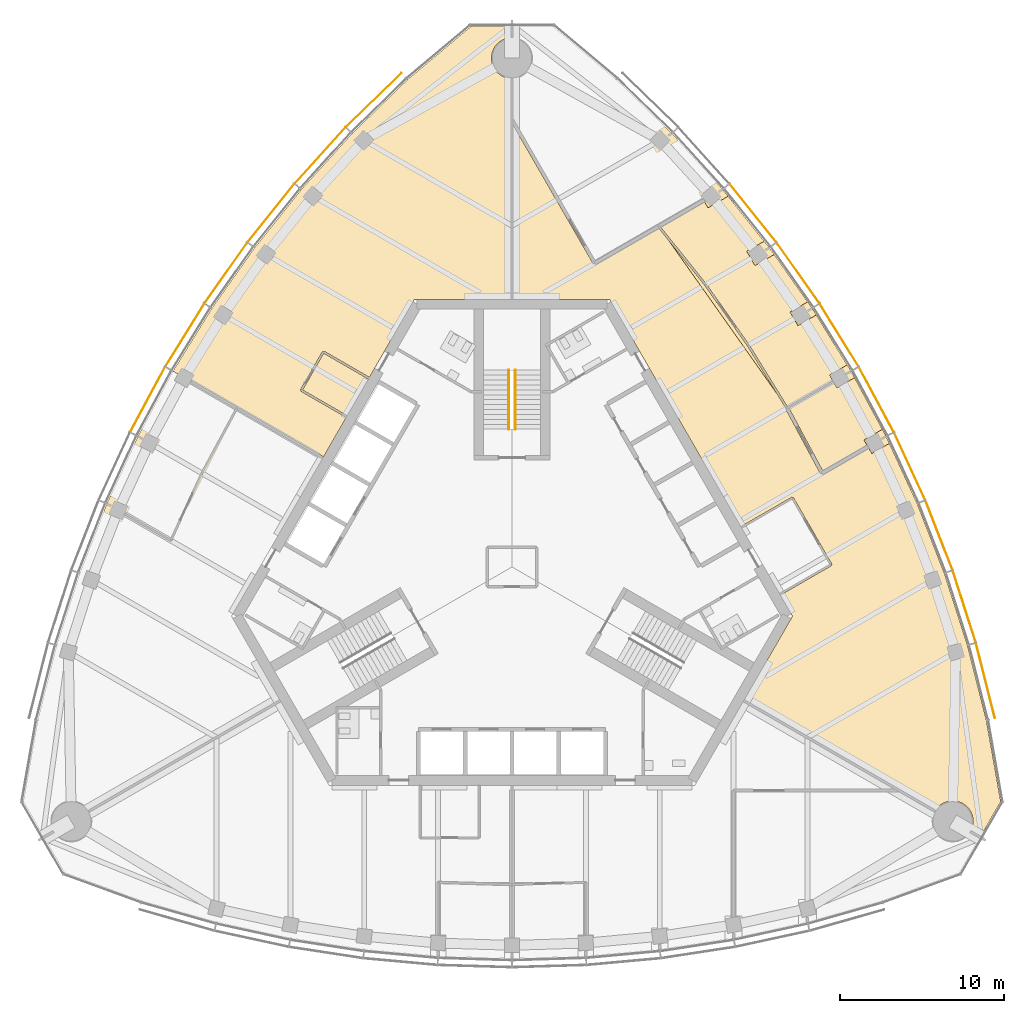
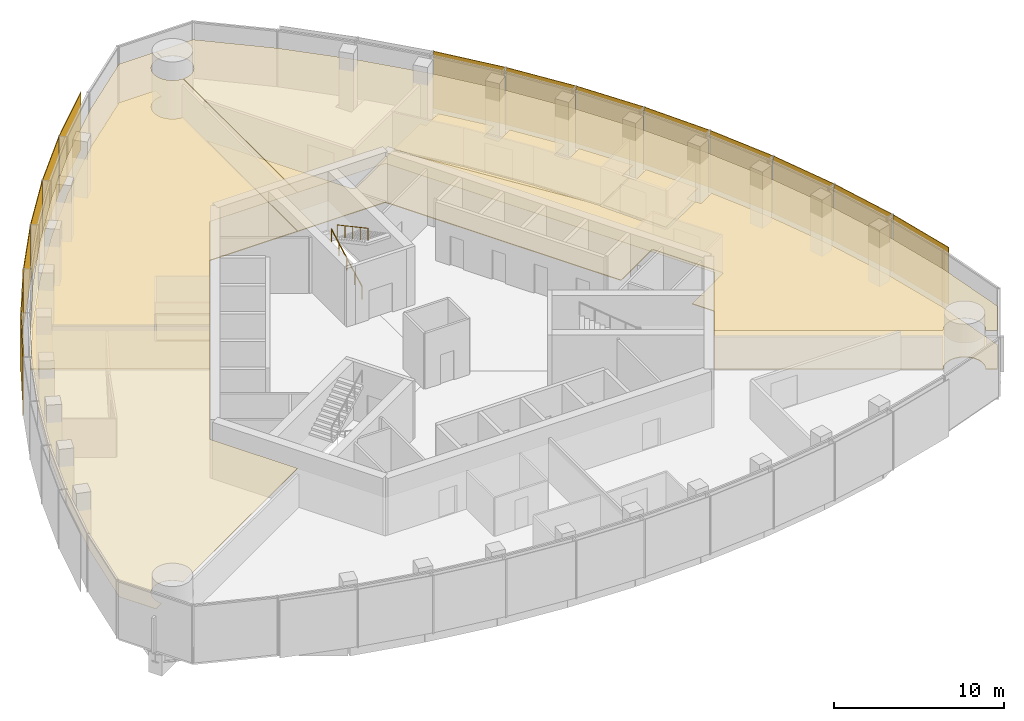
# One storey, part 13 of 16: 14 shading devices, 8 coverings, 2 railings.
"""IFC4 building model written with IfcOpenShell, lengths in metres."""

from ifc_helpers import new_model, si_unit, direction, frame, origin, origin_2d, place, context, subcontext, project, spatial, polyline, rectangle, circle, outline, extrude, material, layer, layer_set, type_object, element, save


model = new_model("IFC4")

# Units and contexts
model_context = context("Model", 3, precision=1e-05, world=origin(), true_north=direction((0.0, 1.0)))
body_context = subcontext(model_context, "Body", "Model", "MODEL_VIEW")
ifc_project = project(units=[si_unit("LENGTHUNIT", "METRE"), si_unit("AREAUNIT", "SQUARE_METRE"), si_unit("VOLUMEUNIT", "CUBIC_METRE"), si_unit("PLANEANGLEUNIT", "RADIAN"), si_unit("MASSUNIT", "GRAM", prefix="KILO")], contexts=[model_context])

# Site, building, storey
site_placement = place(None, origin())
site = spatial("IfcSite", under=ifc_project, at=site_placement, CompositionType="ELEMENT")
building_placement = place(site_placement, origin())
building = spatial("IfcBuilding", under=site, at=building_placement, Name="Trefoil Bronze Tower", CompositionType="ELEMENT")
storey_placement = place(building_placement, frame((0.0, 0.0, 314.10009765625)))
storey = spatial("IfcBuildingStorey", under=building, at=storey_placement, Name="L72", CompositionType="ELEMENT", Elevation=314.10009765625)

# Shading devices
ifc_material_1 = material(Name="Perforated bronze sheet", Category="bronze")
ifc_layer_1 = layer(ifc_material_1, 0.0400390625)
ifc_layer_set_1 = layer_set([ifc_layer_1], Name="Bronze solar screen panel")
shading_device_type = type_object("IfcShadingDeviceType", Name="Bronze solar screen panel", PredefinedType="SHUTTER", material=ifc_layer_set_1)
shading_device_1_placement = place(storey_placement, frame((28.843994140625, -6.927490234375, 0.0498046875), z_axis=(0.0, 0.0, 1.0), x_axis=(-0.244879561333, 0.969553505713, 0.0)))
element("IfcShadingDevice", 1, at=shading_device_1_placement, inside=storey, type_object=shading_device_type, Name="Solar screen CW-A L72 F2 bay 1", PredefinedType="SHUTTER", context=body_context, shape_type="SweptSolid", body=[
    extrude(rectangle(XDim=4.697509765625, YDim=0.0400390625, at=origin_2d()), origin(), (0.0, 0.0, 1.0), 4.10009765625),
])
shading_device_2_placement = place(storey_placement, frame((27.55322265625, -2.410888671875, 0.0498046875), z_axis=(0.0, 0.0, 1.0), x_axis=(-0.305187864214, 0.952292165009, 0.0)))
element("IfcShadingDevice", 2, at=shading_device_2_placement, inside=storey, type_object=shading_device_type, Name="Solar screen CW-A L72 F2 bay 2", PredefinedType="SHUTTER", context=body_context, shape_type="SweptSolid", body=[
    extrude(rectangle(XDim=4.574462890625, YDim=0.0400390625, at=origin_2d()), origin(), (0.0, 0.0, 1.0), 4.10009765625),
])
shading_device_3_placement = place(storey_placement, frame((26.0126953125, 1.93359375, 0.0498046875), z_axis=(0.0, 0.0, 1.0), x_axis=(-0.363198578387, 0.931711754062, 0.0)))
element("IfcShadingDevice", 3, at=shading_device_3_placement, inside=storey, type_object=shading_device_type, Name="Solar screen CW-A L72 F2 bay 3", PredefinedType="SHUTTER", context=body_context, shape_type="SweptSolid", body=[
    extrude(rectangle(XDim=4.5224609375, YDim=0.0400390625, at=origin_2d()), origin(), (0.0, 0.0, 1.0), 4.10009765625),
])
shading_device_4_placement = place(storey_placement, frame((24.2255859375, 6.135986328125, 0.0498046875), z_axis=(0.0, 0.0, 1.0), x_axis=(-0.419309148468, 0.907843509649, 0.0)))
element("IfcShadingDevice", 4, at=shading_device_4_placement, inside=storey, type_object=shading_device_type, Name="Solar screen CW-A L72 F2 bay 4", PredefinedType="SHUTTER", context=body_context, shape_type="SweptSolid", body=[
    extrude(rectangle(XDim=4.48876953125, YDim=0.0400390625, at=origin_2d()), origin(), (0.0, 0.0, 1.0), 4.10009765625),
])
for number, where, z_axis, x_axis, name in (
    (5, (22.19775390625, 10.198974609375, 0.0498046875), (0.0, 0.0, 1.0), (-0.473562437085, 0.880760250115, 0.0), "Solar screen CW-A L72 F2 bay 5"),
    (6, (19.931396484375, 14.124267578125, 0.0498046875), (0.0, 0.0, 1.0), (-0.525979532701, 0.850497225851, 0.0), "Solar screen CW-A L72 F2 bay 6"),
):
    element("IfcShadingDevice", number, at=place(storey_placement, frame(where, z_axis=z_axis, x_axis=x_axis)), inside=storey, type_object=shading_device_type, Name=name, PredefinedType="SHUTTER", context=body_context, shape_type="SweptSolid", body=[
        extrude(rectangle(XDim=4.47216796875, YDim=0.0400390625, at=origin_2d()), origin(), (0.0, 0.0, 1.0), 4.10009765625),
    ])
shading_device_5_placement = place(storey_placement, frame((17.4267578125, 17.912109375, 0.0498046875), z_axis=(0.0, 0.0, 1.0), x_axis=(-0.576560967783, 0.817054129437, 0.0)))
element("IfcShadingDevice", 7, at=shading_device_5_placement, inside=storey, type_object=shading_device_type, Name="Solar screen CW-A L72 F2 bay 7", PredefinedType="SHUTTER", context=body_context, shape_type="SweptSolid", body=[
    extrude(rectangle(XDim=4.48876953125, YDim=0.0400390625, at=origin_2d()), origin(), (0.0, 0.0, 1.0), 4.10009765625),
])
shading_device_6_placement = place(storey_placement, frame((14.680908203125, 21.560791015625, 0.0498046875), z_axis=(0.0, 0.0, 1.0), x_axis=(-0.625286758829, 0.780395072533, 0.0)))
element("IfcShadingDevice", 8, at=shading_device_6_placement, inside=storey, type_object=shading_device_type, Name="Solar screen CW-A L72 F2 bay 8", PredefinedType="SHUTTER", context=body_context, shape_type="SweptSolid", body=[
    extrude(rectangle(XDim=4.5224609375, YDim=0.0400390625, at=origin_2d()), origin(), (0.0, 0.0, 1.0), 4.10009765625),
])
shading_device_7_placement = place(storey_placement, frame((-8.42236328125, 28.443359375, 0.0498046875), z_axis=(0.0, 0.0, 1.0), x_axis=(-0.71721818561, -0.696848673839, 0.0)))
element("IfcShadingDevice", 9, at=shading_device_7_placement, inside=storey, type_object=shading_device_type, Name="Solar screen CW-A L72 F3 bay 1", PredefinedType="SHUTTER", context=body_context, shape_type="SweptSolid", body=[
    extrude(rectangle(XDim=4.697509765625, YDim=0.0400390625, at=origin_2d()), origin(), (0.0, 0.0, 1.0), 4.10009765625),
])
shading_device_8_placement = place(storey_placement, frame((-11.688720703125, 25.067138671875, 0.0498046875), z_axis=(0.0, 0.0, 1.0), x_axis=(-0.672115274615, -0.74044652584, 0.0)))
element("IfcShadingDevice", 10, at=shading_device_8_placement, inside=storey, type_object=shading_device_type, Name="Solar screen CW-A L72 F3 bay 2", PredefinedType="SHUTTER", context=body_context, shape_type="SweptSolid", body=[
    extrude(rectangle(XDim=4.574462890625, YDim=0.0400390625, at=origin_2d()), origin(), (0.0, 0.0, 1.0), 4.10009765625),
])
shading_device_9_placement = place(storey_placement, frame((-14.680908203125, 21.560791015625, 0.0498046875), z_axis=(0.0, 0.0, 1.0), x_axis=(-0.625286758829, -0.780395072533, 0.0)))
element("IfcShadingDevice", 11, at=shading_device_9_placement, inside=storey, type_object=shading_device_type, Name="Solar screen CW-A L72 F3 bay 3", PredefinedType="SHUTTER", context=body_context, shape_type="SweptSolid", body=[
    extrude(rectangle(XDim=4.5224609375, YDim=0.0400390625, at=origin_2d()), origin(), (0.0, 0.0, 1.0), 4.10009765625),
])
shading_device_10_placement = place(storey_placement, frame((-17.4267578125, 17.912109375, 0.0498046875), z_axis=(0.0, 0.0, 1.0), x_axis=(-0.576560967783, -0.817054129437, 0.0)))
element("IfcShadingDevice", 12, at=shading_device_10_placement, inside=storey, type_object=shading_device_type, Name="Solar screen CW-A L72 F3 bay 4", PredefinedType="SHUTTER", context=body_context, shape_type="SweptSolid", body=[
    extrude(rectangle(XDim=4.48876953125, YDim=0.0400390625, at=origin_2d()), origin(), (0.0, 0.0, 1.0), 4.10009765625),
])
for number, where, z_axis, x_axis, name in (
    (13, (-19.931396484375, 14.124267578125, 0.0498046875), (0.0, 0.0, 1.0), (-0.525979532701, -0.850497225851, 0.0), "Solar screen CW-A L72 F3 bay 5"),
    (14, (-22.19775390625, 10.198974609375, 0.0498046875), (0.0, 0.0, 1.0), (-0.473562437085, -0.880760250115, 0.0), "Solar screen CW-A L72 F3 bay 6"),
):
    element("IfcShadingDevice", number, at=place(storey_placement, frame(where, z_axis=z_axis, x_axis=x_axis)), inside=storey, type_object=shading_device_type, Name=name, PredefinedType="SHUTTER", context=body_context, shape_type="SweptSolid", body=[
        extrude(rectangle(XDim=4.47216796875, YDim=0.0400390625, at=origin_2d()), origin(), (0.0, 0.0, 1.0), 4.10009765625),
    ])

# Railings
ifc_material_2 = material(Name="Steel handrail", Category="steel")
railing_type = type_object("IfcRailingType", Name="Handrail 900", PredefinedType="HANDRAIL", material=ifc_material_2)
railing_1_placement = place(storey_placement, frame((-0.199951171875, 8.389892578125, 0.161376953125)))
element("IfcRailing", 15, at=railing_1_placement, inside=storey, type_object=railing_type, Name="Handrail ST2 flight 1 L72", PredefinedType="HANDRAIL", context=body_context, shape_type="SweptSolid", body=[
    extrude(circle(Radius=0.02392578125, at=origin_2d()), frame((0.0, 0.0, 0.8759765625), z_axis=(0.0, 0.880474934443, 0.474092701714), x_axis=(-1.0, 0.0, 0.0)), (0.0, 0.0, 1.0), 4.0888671875),
    extrude(circle(Radius=0.02099609375, at=origin_2d()), origin(), (0.0, 0.0, 1.0), 0.851806640625),
    extrude(circle(Radius=0.02099609375, at=origin_2d()), frame((0.0, 0.89990234375, 0.484619140625)), (0.0, 0.0, 1.0), 0.851806640625),
    extrude(circle(Radius=0.02099609375, at=origin_2d()), frame((0.0, 1.800048828125, 0.96923828125)), (0.0, 0.0, 1.0), 0.851806640625),
    extrude(circle(Radius=0.02099609375, at=origin_2d()), frame((0.0, 2.7001953125, 1.453857421875)), (0.0, 0.0, 1.0), 0.851806640625),
    extrude(circle(Radius=0.02099609375, at=origin_2d()), frame((0.0, 3.60009765625, 1.9384765625)), (0.0, 0.0, 1.0), 0.851806640625),
])
railing_2_placement = place(storey_placement, frame((0.199951171875, 11.989990234375, 2.261474609375)))
element("IfcRailing", 16, at=railing_2_placement, inside=storey, type_object=railing_type, Name="Handrail ST2 flight 2 L72", PredefinedType="HANDRAIL", context=body_context, shape_type="SweptSolid", body=[
    extrude(circle(Radius=0.02392578125, at=origin_2d()), frame((0.0, 0.0, 0.8759765625), z_axis=(0.0, -0.880474934443, 0.474092701714), x_axis=(1.0, 0.0, 0.0)), (0.0, 0.0, 1.0), 4.0888671875),
    extrude(circle(Radius=0.02099609375, at=origin_2d()), origin(), (0.0, 0.0, 1.0), 0.851806640625),
    extrude(circle(Radius=0.02099609375, at=origin_2d()), frame((0.0, -0.89990234375, 0.484619140625)), (0.0, 0.0, 1.0), 0.851806640625),
    extrude(circle(Radius=0.02099609375, at=origin_2d()), frame((0.0, -1.800048828125, 0.96923828125)), (0.0, 0.0, 1.0), 0.851806640625),
    extrude(circle(Radius=0.02099609375, at=origin_2d()), frame((0.0, -2.7001953125, 1.453857421875)), (0.0, 0.0, 1.0), 0.851806640625),
    extrude(circle(Radius=0.02099609375, at=origin_2d()), frame((0.0, -3.60009765625, 1.9384765625)), (0.0, 0.0, 1.0), 0.851806640625),
])

# Coverings
ifc_material_3 = material(Name="Acoustic ceiling panels", Category="mineral fibre")
ifc_layer_2 = layer(ifc_material_3, 0.02001953125)
ifc_layer_set_2 = layer_set([ifc_layer_2], Name="Office ceiling 20")
covering_type_1 = type_object("IfcCoveringType", Name="Office ceiling 20", PredefinedType="CEILING", material=ifc_layer_set_2)
covering_1_placement = place(storey_placement, frame((0.0, 0.0, 2.89990234375)))
element("IfcCovering", 17, at=covering_1_placement, inside=storey, type_object=covering_type_1, Name="Ceiling L72 Workspace F2", PredefinedType="CEILING", context=body_context, shape_type="SweptSolid", body=[
    extrude(outline(polyline([(9.741455078125, 26.408935546875), (12.836181640625, 22.99951171875), (15.682861328125, 19.44677734375), (18.2880859375, 15.7548828125), (20.656005859375, 11.92578125), (22.7880859375, 7.960693359375), (24.682861328125, 3.8583984375), (26.336181640625, -0.38330078125), (27.741455078125, -4.76806640625), (28.899169921875, -9.3515625), (29.770263671875, -14.291748046875), (28.522216796875, -16.453125), (27.93505859375, -16.1142578125), (27.976806640625, -16.034423828125), (28.001708984375, -15.978515625), (28.023681640625, -15.921142578125), (28.04296875, -15.86279296875), (28.059326171875, -15.8037109375), (28.07275390625, -15.743896484375), (28.083251953125, -15.683349609375), (28.0908203125, -15.62255859375), (28.09521484375, -15.561279296875), (28.0966796875, -15.5), (28.09521484375, -15.438720703125), (28.0908203125, -15.37744140625), (28.083251953125, -15.316650390625), (28.07275390625, -15.256103515625), (28.059326171875, -15.1962890625), (28.04296875, -15.13720703125), (28.023681640625, -15.078857421875), (28.001708984375, -15.021484375), (27.976806640625, -14.965576171875), (27.94921875, -14.910888671875), (27.9189453125, -14.857421875), (27.885986328125, -14.805419921875), (27.850830078125, -14.75537109375), (27.81298828125, -14.70703125), (27.77294921875, -14.66064453125), (27.730712890625, -14.6162109375), (27.686279296875, -14.57373046875), (27.639892578125, -14.53369140625), (27.59130859375, -14.49609375), (27.541259765625, -14.460693359375), (27.489501953125, -14.427734375), (27.43603515625, -14.397705078125), (27.381103515625, -14.3701171875), (27.3251953125, -14.34521484375), (27.267822265625, -14.322998046875), (27.209716796875, -14.3037109375), (27.150390625, -14.28759765625), (27.0908203125, -14.27392578125), (27.0302734375, -14.263427734375), (26.96923828125, -14.256103515625), (26.908203125, -14.25146484375), (26.8466796875, -14.25), (26.785400390625, -14.25146484375), (26.724365234375, -14.256103515625), (26.663330078125, -14.263427734375), (26.602783203125, -14.27392578125), (26.543212890625, -14.28759765625), (26.48388671875, -14.3037109375), (26.42578125, -14.322998046875), (26.368408203125, -14.34521484375), (26.312255859375, -14.3701171875), (26.257568359375, -14.397705078125), (26.2041015625, -14.427734375), (26.15234375, -14.460693359375), (26.102294921875, -14.49609375), (26.0537109375, -14.53369140625), (26.00732421875, -14.57373046875), (25.962890625, -14.6162109375), (25.920654296875, -14.66064453125), (25.880615234375, -14.70703125), (25.8427734375, -14.75537109375), (25.8076171875, -14.805419921875), (25.77001953125, -14.865478515625), (14.119384765625, -8.144775390625), (17.089599609375, -3.0), (5.94677734375, 16.300048828125), (0.006103515625, 16.300048828125), (0.01123046875, 29.750244140625), (0.061279296875, 29.75146484375), (0.12255859375, 29.756103515625), (0.183349609375, 29.763427734375), (0.243896484375, 29.77392578125), (0.3037109375, 29.78759765625), (0.36279296875, 29.8037109375), (0.421142578125, 29.822998046875), (0.478515625, 29.84521484375), (0.534423828125, 29.8701171875), (0.589111328125, 29.897705078125), (0.642578125, 29.927734375), (0.694580078125, 29.960693359375), (0.74462890625, 29.99609375), (0.79296875, 30.03369140625), (0.83935546875, 30.07373046875), (0.8837890625, 30.1162109375), (0.92626953125, 30.16064453125), (0.96630859375, 30.20703125), (1.00390625, 30.25537109375), (1.039306640625, 30.305419921875), (1.072265625, 30.357421875), (1.102294921875, 30.410888671875), (1.1298828125, 30.465576171875), (1.15478515625, 30.521484375), (1.177001953125, 30.578857421875), (1.1962890625, 30.63720703125), (1.21240234375, 30.6962890625), (1.22607421875, 30.756103515625), (1.236572265625, 30.816650390625), (1.243896484375, 30.87744140625), (1.24853515625, 30.938720703125), (1.25, 31.0), (1.24853515625, 31.061279296875), (1.243896484375, 31.12255859375), (1.236572265625, 31.183349609375), (1.22607421875, 31.243896484375), (1.21240234375, 31.3037109375), (1.1962890625, 31.36279296875), (1.177001953125, 31.421142578125), (1.15478515625, 31.478515625), (1.1298828125, 31.534423828125), (1.102294921875, 31.589111328125), (1.072265625, 31.642578125), (1.039306640625, 31.694580078125), (1.00390625, 31.74462890625), (0.96630859375, 31.79296875), (0.92626953125, 31.83935546875), (0.8837890625, 31.8837890625), (0.83935546875, 31.92626953125), (0.79296875, 31.96630859375), (0.74462890625, 32.00390625), (0.694580078125, 32.039306640625), (0.642578125, 32.072265625), (0.589111328125, 32.102294921875), (0.534423828125, 32.1298828125), (0.478515625, 32.15478515625), (0.421142578125, 32.177001953125), (0.36279296875, 32.1962890625), (0.3037109375, 32.21240234375), (0.243896484375, 32.22607421875), (0.183349609375, 32.236572265625), (0.12255859375, 32.243896484375), (0.061279296875, 32.24853515625), (0.01220703125, 32.249755859375), (0.01220703125, 32.927490234375), (2.508056640625, 32.927490234375), (6.350830078125, 29.703125), (9.741455078125, 26.408935546875)])), origin(), (0.0, 0.0, 1.0), 0.02001953125),
])
covering_2_placement = place(storey_placement, frame((0.0, 0.0, 2.89990234375)))
element("IfcCovering", 18, at=covering_2_placement, inside=storey, type_object=covering_type_1, Name="Ceiling L72 Workspace F3", PredefinedType="CEILING", context=body_context, shape_type="SweptSolid", body=[
    extrude(outline(polyline([(-27.741455078125, -4.76806640625), (-26.336181640625, -0.38330078125), (-24.682861328125, 3.8583984375), (-22.7880859375, 7.960693359375), (-20.656005859375, 11.92578125), (-18.2880859375, 15.7548828125), (-15.682861328125, 19.44677734375), (-12.836181640625, 22.99951171875), (-9.741455078125, 26.408935546875), (-6.350830078125, 29.703125), (-2.508056640625, 32.927490234375), (-0.01220703125, 32.927490234375), (-0.01220703125, 32.249755859375), (-0.061279296875, 32.24853515625), (-0.12255859375, 32.243896484375), (-0.183349609375, 32.236572265625), (-0.243896484375, 32.22607421875), (-0.3037109375, 32.21240234375), (-0.36279296875, 32.1962890625), (-0.421142578125, 32.177001953125), (-0.478515625, 32.15478515625), (-0.534423828125, 32.1298828125), (-0.589111328125, 32.102294921875), (-0.642578125, 32.072265625), (-0.694580078125, 32.039306640625), (-0.74462890625, 32.00390625), (-0.79296875, 31.96630859375), (-0.83935546875, 31.92626953125), (-0.8837890625, 31.8837890625), (-0.92626953125, 31.83935546875), (-0.96630859375, 31.79296875), (-1.00390625, 31.74462890625), (-1.039306640625, 31.694580078125), (-1.072265625, 31.642578125), (-1.102294921875, 31.589111328125), (-1.1298828125, 31.534423828125), (-1.15478515625, 31.478515625), (-1.177001953125, 31.421142578125), (-1.1962890625, 31.36279296875), (-1.21240234375, 31.3037109375), (-1.22607421875, 31.243896484375), (-1.236572265625, 31.183349609375), (-1.243896484375, 31.12255859375), (-1.24853515625, 31.061279296875), (-1.25, 31.0), (-1.24853515625, 30.938720703125), (-1.243896484375, 30.87744140625), (-1.236572265625, 30.816650390625), (-1.22607421875, 30.756103515625), (-1.21240234375, 30.6962890625), (-1.1962890625, 30.63720703125), (-1.177001953125, 30.578857421875), (-1.15478515625, 30.521484375), (-1.1298828125, 30.465576171875), (-1.102294921875, 30.410888671875), (-1.072265625, 30.357421875), (-1.039306640625, 30.305419921875), (-1.00390625, 30.25537109375), (-0.96630859375, 30.20703125), (-0.92626953125, 30.16064453125), (-0.8837890625, 30.1162109375), (-0.83935546875, 30.07373046875), (-0.79296875, 30.03369140625), (-0.74462890625, 29.99609375), (-0.694580078125, 29.960693359375), (-0.642578125, 29.927734375), (-0.589111328125, 29.897705078125), (-0.534423828125, 29.8701171875), (-0.478515625, 29.84521484375), (-0.421142578125, 29.822998046875), (-0.36279296875, 29.8037109375), (-0.3037109375, 29.78759765625), (-0.243896484375, 29.77392578125), (-0.183349609375, 29.763427734375), (-0.12255859375, 29.756103515625), (-0.061279296875, 29.75146484375), (-0.01123046875, 29.750244140625), (-0.006103515625, 16.300048828125), (-5.94677734375, 16.300048828125), (-17.089599609375, -3.0), (-14.119384765625, -8.144775390625), (-25.77001953125, -14.865478515625), (-25.8076171875, -14.805419921875), (-25.8427734375, -14.75537109375), (-25.880615234375, -14.70703125), (-25.920654296875, -14.66064453125), (-25.962890625, -14.6162109375), (-26.00732421875, -14.57373046875), (-26.0537109375, -14.53369140625), (-26.102294921875, -14.49609375), (-26.15234375, -14.460693359375), (-26.2041015625, -14.427734375), (-26.257568359375, -14.397705078125), (-26.312255859375, -14.3701171875), (-26.368408203125, -14.34521484375), (-26.42578125, -14.322998046875), (-26.48388671875, -14.3037109375), (-26.543212890625, -14.28759765625), (-26.602783203125, -14.27392578125), (-26.663330078125, -14.263427734375), (-26.724365234375, -14.256103515625), (-26.785400390625, -14.25146484375), (-26.8466796875, -14.25), (-26.908203125, -14.25146484375), (-26.96923828125, -14.256103515625), (-27.0302734375, -14.263427734375), (-27.0908203125, -14.27392578125), (-27.150390625, -14.28759765625), (-27.209716796875, -14.3037109375), (-27.267822265625, -14.322998046875), (-27.3251953125, -14.34521484375), (-27.381103515625, -14.3701171875), (-27.43603515625, -14.397705078125), (-27.489501953125, -14.427734375), (-27.541259765625, -14.460693359375), (-27.59130859375, -14.49609375), (-27.639892578125, -14.53369140625), (-27.686279296875, -14.57373046875), (-27.730712890625, -14.6162109375), (-27.77294921875, -14.66064453125), (-27.81298828125, -14.70703125), (-27.850830078125, -14.75537109375), (-27.885986328125, -14.805419921875), (-27.9189453125, -14.857421875), (-27.94921875, -14.910888671875), (-27.976806640625, -14.965576171875), (-28.001708984375, -15.021484375), (-28.023681640625, -15.078857421875), (-28.04296875, -15.13720703125), (-28.059326171875, -15.1962890625), (-28.07275390625, -15.256103515625), (-28.083251953125, -15.316650390625), (-28.0908203125, -15.37744140625), (-28.09521484375, -15.438720703125), (-28.0966796875, -15.5), (-28.09521484375, -15.561279296875), (-28.0908203125, -15.62255859375), (-28.083251953125, -15.683349609375), (-28.07275390625, -15.743896484375), (-28.059326171875, -15.8037109375), (-28.04296875, -15.86279296875), (-28.023681640625, -15.921142578125), (-28.001708984375, -15.978515625), (-27.976806640625, -16.034423828125), (-27.93505859375, -16.1142578125), (-28.522216796875, -16.453125), (-29.770263671875, -14.291748046875), (-28.899169921875, -9.3515625), (-27.741455078125, -4.76806640625)])), origin(), (0.0, 0.0, 1.0), 0.02001953125),
])
ifc_material_4 = material(Name="Raised access floor panels", Category="steel")
ifc_layer_3 = layer(ifc_material_4, 0.050048828125)
ifc_layer_set_3 = layer_set([ifc_layer_3], Name="Raised access floor 150")
covering_type_2 = type_object("IfcCoveringType", Name="Raised access floor 150", PredefinedType="FLOORING", material=ifc_layer_set_3)
covering_3_placement = place(storey_placement, frame((0.0, 0.0, 0.099853515625)))
element("IfcCovering", 19, at=covering_3_placement, inside=storey, type_object=covering_type_2, Name="Raised floor L72 Dining room F2", PredefinedType="FLOORING", context=body_context, shape_type="SweptSolid", body=[
    extrude(outline(polyline([(18.01171875, 16.146484375), (16.941650390625, 15.52880859375), (17.419189453125, 14.701904296875), (18.539306640625, 15.348388671875), (20.418701171875, 12.3095703125), (19.34716796875, 11.69091796875), (19.57275390625, 11.30029296875), (19.547607421875, 11.285888671875), (19.517578125, 11.337890625), (16.779296875, 9.7568359375), (14.44189453125, 13.536376953125), (14.39111328125, 13.5048828125), (14.43994140625, 13.539306640625), (11.834716796875, 17.2314453125), (11.78564453125, 17.19677734375), (11.83251953125, 17.234375), (9.054931640625, 20.700927734375), (11.726806640625, 22.243408203125), (11.939453125, 21.875), (13.168701171875, 22.584716796875), (15.364990234375, 19.84326171875), (14.298583984375, 19.227783203125), (14.801025390625, 18.357666015625), (15.9736328125, 19.03466796875), (18.01171875, 16.146484375)])), origin(), (0.0, 0.0, 1.0), 0.050048828125),
])
covering_4_placement = place(storey_placement, frame((0.0, 0.0, 0.099853515625)))
element("IfcCovering", 20, at=covering_4_placement, inside=storey, type_object=covering_type_2, Name="Raised floor L72 Dining room F2", PredefinedType="FLOORING", context=body_context, shape_type="SweptSolid", body=[
    extrude(outline(polyline([(9.51025390625, 19.94091796875), (11.73779296875, 17.16064453125), (14.3408203125, 13.4716796875), (16.191162109375, 10.47998046875), (9.51025390625, 19.94091796875)])), origin(), (0.0, 0.0, 1.0), 0.050048828125),
])
covering_5_placement = place(storey_placement, frame((0.0, 0.0, 0.099853515625)))
element("IfcCovering", 21, at=covering_5_placement, inside=storey, type_object=covering_type_2, Name="Raised floor L72 Private dining room F2", PredefinedType="FLOORING", context=body_context, shape_type="SweptSolid", body=[
    extrude(outline(polyline([(22.56201171875, 8.38134765625), (21.441650390625, 7.734619140625), (21.680419921875, 7.321044921875), (21.677490234375, 7.3193359375), (21.627685546875, 7.406005859375), (18.93017578125, 5.8486328125), (16.8740234375, 9.673095703125), (19.57763671875, 11.23388671875), (19.547607421875, 11.285888671875), (19.57275390625, 11.30029296875), (19.798095703125, 10.90966796875), (20.869873046875, 11.5283203125), (22.56201171875, 8.38134765625)])), origin(), (0.0, 0.0, 1.0), 0.050048828125),
])
covering_6_placement = place(storey_placement, frame((0.0, 0.0, 0.099853515625)))
element("IfcCovering", 22, at=covering_6_placement, inside=storey, type_object=covering_type_2, Name="Raised floor L72 Workspace F2", PredefinedType="FLOORING", context=body_context, shape_type="SweptSolid", body=[
    extrude(outline(polyline([(14.119384765625, -8.144775390625), (17.089599609375, -3.0), (16.34814453125, -1.7158203125), (19.4658203125, 0.084228515625), (19.435791015625, 0.13623046875), (19.48779296875, 0.166259765625), (17.1376953125, 4.236572265625), (17.085693359375, 4.20654296875), (17.055908203125, 4.25830078125), (13.93798828125, 2.45849609375), (5.94677734375, 16.300048828125), (0.006103515625, 16.300048828125), (0.010009765625, 27.0224609375), (4.958740234375, 18.451416015625), (5.04541015625, 18.501220703125), (5.09521484375, 18.414794921875), (8.94970703125, 20.64013671875), (9.51025390625, 19.94091796875), (16.191162109375, 10.47998046875), (16.7060546875, 9.647216796875), (16.6708984375, 9.62841796875), (18.802978515625, 5.6630859375), (18.89111328125, 5.710693359375), (18.94091796875, 5.6240234375), (21.7275390625, 7.23291015625), (21.677490234375, 7.3193359375), (21.680419921875, 7.321044921875), (21.919189453125, 6.90771484375), (22.989013671875, 7.525390625), (24.682861328125, 3.8583984375), (26.336181640625, -0.38330078125), (27.741455078125, -4.76806640625), (28.899169921875, -9.3515625), (29.770263671875, -14.291748046875), (28.522216796875, -16.453125), (27.93505859375, -16.1142578125), (27.976806640625, -16.034423828125), (28.001708984375, -15.978515625), (28.023681640625, -15.921142578125), (28.04296875, -15.86279296875), (28.059326171875, -15.8037109375), (28.07275390625, -15.743896484375), (28.083251953125, -15.683349609375), (28.0908203125, -15.62255859375), (28.09521484375, -15.561279296875), (28.0966796875, -15.5), (28.09521484375, -15.438720703125), (28.0908203125, -15.37744140625), (28.083251953125, -15.316650390625), (28.07275390625, -15.256103515625), (28.059326171875, -15.1962890625), (28.04296875, -15.13720703125), (28.023681640625, -15.078857421875), (28.001708984375, -15.021484375), (27.976806640625, -14.965576171875), (27.94921875, -14.910888671875), (27.9189453125, -14.857421875), (27.885986328125, -14.805419921875), (27.850830078125, -14.75537109375), (27.81298828125, -14.70703125), (27.77294921875, -14.66064453125), (27.730712890625, -14.6162109375), (27.686279296875, -14.57373046875), (27.639892578125, -14.53369140625), (27.59130859375, -14.49609375), (27.541259765625, -14.460693359375), (27.489501953125, -14.427734375), (27.43603515625, -14.397705078125), (27.381103515625, -14.3701171875), (27.3251953125, -14.34521484375), (27.267822265625, -14.322998046875), (27.209716796875, -14.3037109375), (27.150390625, -14.28759765625), (27.0908203125, -14.27392578125), (27.0302734375, -14.263427734375), (26.96923828125, -14.256103515625), (26.908203125, -14.25146484375), (26.8466796875, -14.25), (26.785400390625, -14.25146484375), (26.724365234375, -14.256103515625), (26.663330078125, -14.263427734375), (26.602783203125, -14.27392578125), (26.543212890625, -14.28759765625), (26.48388671875, -14.3037109375), (26.42578125, -14.322998046875), (26.368408203125, -14.34521484375), (26.312255859375, -14.3701171875), (26.257568359375, -14.397705078125), (26.2041015625, -14.427734375), (26.15234375, -14.460693359375), (26.102294921875, -14.49609375), (26.0537109375, -14.53369140625), (26.00732421875, -14.57373046875), (25.962890625, -14.6162109375), (25.920654296875, -14.66064453125), (25.880615234375, -14.70703125), (25.8427734375, -14.75537109375), (25.8076171875, -14.805419921875), (25.77001953125, -14.865478515625), (14.119384765625, -8.144775390625)])), origin(), (0.0, 0.0, 1.0), 0.050048828125),
])
covering_7_placement = place(storey_placement, frame((0.0, 0.0, 0.099853515625)))
element("IfcCovering", 23, at=covering_7_placement, inside=storey, type_object=covering_type_2, Name="Raised floor L72 Store F3", PredefinedType="FLOORING", context=body_context, shape_type="SweptSolid", body=[
    extrude(outline(polyline([(-10.0380859375, 9.21337890625), (-12.757568359375, 10.783447265625), (-11.467529296875, 13.017822265625), (-8.748046875, 11.44775390625), (-10.0380859375, 9.21337890625)])), origin(), (0.0, 0.0, 1.0), 0.050048828125),
])
covering_8_placement = place(storey_placement, frame((0.0, 0.0, 0.099853515625)))
element("IfcCovering", 24, at=covering_8_placement, inside=storey, type_object=covering_type_2, Name="Raised floor L72 Workspace F3", PredefinedType="FLOORING", context=body_context, shape_type="SweptSolid", body=[
    extrude(outline(polyline([(-8.68798828125, 11.5517578125), (-11.45947265625, 13.151611328125), (-11.489501953125, 13.099609375), (-11.54150390625, 13.129638671875), (-12.891357421875, 10.79150390625), (-12.83935546875, 10.761474609375), (-12.869384765625, 10.70947265625), (-10.09814453125, 9.109619140625), (-11.517578125, 6.65087890625), (-11.5263671875, 6.656005859375), (-11.4892578125, 6.719970703125), (-19.510009765625, 11.350830078125), (-19.547119140625, 11.28662109375), (-20.655517578125, 11.926513671875), (-18.2880859375, 15.7548828125), (-15.682861328125, 19.44677734375), (-12.836181640625, 22.99951171875), (-9.741455078125, 26.408935546875), (-6.350830078125, 29.703125), (-2.508056640625, 32.927490234375), (-0.01220703125, 32.927490234375), (-0.01220703125, 32.249755859375), (-0.061279296875, 32.24853515625), (-0.12255859375, 32.243896484375), (-0.183349609375, 32.236572265625), (-0.243896484375, 32.22607421875), (-0.3037109375, 32.21240234375), (-0.36279296875, 32.1962890625), (-0.421142578125, 32.177001953125), (-0.478515625, 32.15478515625), (-0.534423828125, 32.1298828125), (-0.589111328125, 32.102294921875), (-0.642578125, 32.072265625), (-0.694580078125, 32.039306640625), (-0.74462890625, 32.00390625), (-0.79296875, 31.96630859375), (-0.83935546875, 31.92626953125), (-0.8837890625, 31.8837890625), (-0.92626953125, 31.83935546875), (-0.96630859375, 31.79296875), (-1.00390625, 31.74462890625), (-1.039306640625, 31.694580078125), (-1.072265625, 31.642578125), (-1.102294921875, 31.589111328125), (-1.1298828125, 31.534423828125), (-1.15478515625, 31.478515625), (-1.177001953125, 31.421142578125), (-1.1962890625, 31.36279296875), (-1.21240234375, 31.3037109375), (-1.22607421875, 31.243896484375), (-1.236572265625, 31.183349609375), (-1.243896484375, 31.12255859375), (-1.24853515625, 31.061279296875), (-1.25, 31.0), (-1.24853515625, 30.938720703125), (-1.243896484375, 30.87744140625), (-1.236572265625, 30.816650390625), (-1.22607421875, 30.756103515625), (-1.21240234375, 30.6962890625), (-1.1962890625, 30.63720703125), (-1.177001953125, 30.578857421875), (-1.15478515625, 30.521484375), (-1.1298828125, 30.465576171875), (-1.102294921875, 30.410888671875), (-1.072265625, 30.357421875), (-1.039306640625, 30.305419921875), (-1.00390625, 30.25537109375), (-0.96630859375, 30.20703125), (-0.92626953125, 30.16064453125), (-0.8837890625, 30.1162109375), (-0.83935546875, 30.07373046875), (-0.79296875, 30.03369140625), (-0.74462890625, 29.99609375), (-0.694580078125, 29.960693359375), (-0.642578125, 29.927734375), (-0.589111328125, 29.897705078125), (-0.534423828125, 29.8701171875), (-0.478515625, 29.84521484375), (-0.421142578125, 29.822998046875), (-0.36279296875, 29.8037109375), (-0.3037109375, 29.78759765625), (-0.243896484375, 29.77392578125), (-0.183349609375, 29.763427734375), (-0.12255859375, 29.756103515625), (-0.061279296875, 29.75146484375), (-0.01123046875, 29.750244140625), (-0.006103515625, 16.300048828125), (-5.94677734375, 16.300048828125), (-8.68798828125, 11.5517578125)])), origin(), (0.0, 0.0, 1.0), 0.050048828125),
])

save(model, "model.ifc")
